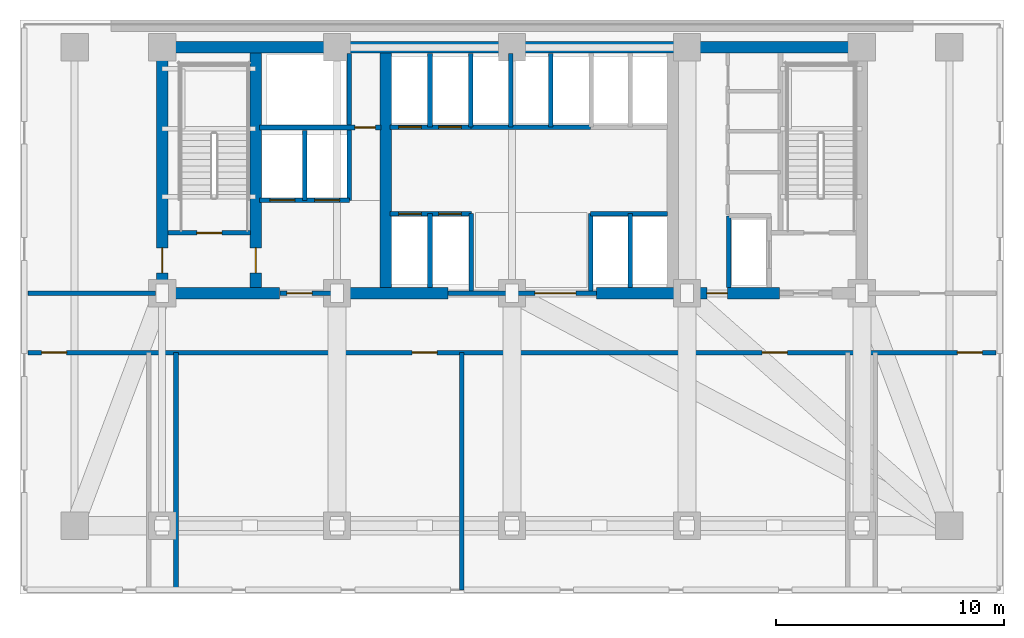
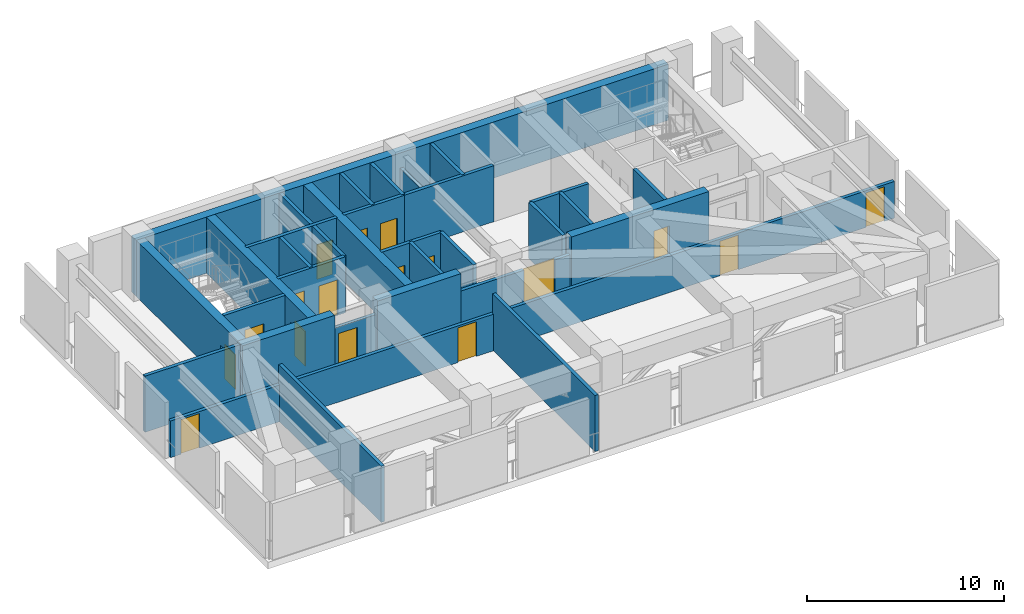
# One storey, part 2 of 7: 31 walls, 17 doors, 17 openings.
"""IFC4 building model written with IfcOpenShell, lengths in metres."""

from ifc_helpers import new_model, si_unit, direction, frame, frame_2d, origin, place, context, subcontext, project, spatial, rectangle, extrude, material, layer, layer_set, type_object, element, fill, save


model = new_model("IFC4")

# Units and contexts
model_context = context("Model", 3, precision=1e-05, world=origin(), true_north=direction((0.0, 1.0)))
body_context = subcontext(model_context, "Body", "Model", "MODEL_VIEW")
ifc_project = project(units=[si_unit("LENGTHUNIT", "METRE"), si_unit("AREAUNIT", "SQUARE_METRE"), si_unit("VOLUMEUNIT", "CUBIC_METRE"), si_unit("PLANEANGLEUNIT", "RADIAN"), si_unit("MASSUNIT", "GRAM", prefix="KILO")], contexts=[model_context])

# Site, building, storey
site_placement = place(None, origin())
site = spatial("IfcSite", under=ifc_project, at=site_placement, CompositionType="ELEMENT")
building_placement = place(site_placement, origin())
building = spatial("IfcBuilding", under=site, at=building_placement, Name="Yelkora Congress Tower", CompositionType="ELEMENT")
storey_placement = place(building_placement, frame((0.0, 0.0, 85.800048828125)))
storey = spatial("IfcBuildingStorey", under=building, at=storey_placement, Name="L22", CompositionType="ELEMENT", Elevation=85.800048828125)

# Walls
ifc_material_1 = material(Name="Concrete C60/75", Category="concrete")
ifc_layer_1 = layer(ifc_material_1, 0.5)
ifc_layer_set_1 = layer_set([ifc_layer_1], Name="Concrete C60/75")
wall_type_1 = type_object("IfcWallType", Name="WALL-CORE-INT-500", PredefinedType="SHEAR", material=ifc_layer_set_1)
wall_1_placement = place(storey_placement, frame((22.7900390625, 46.199951171875, 0.0), z_axis=(0.0, 0.0, 1.0), x_axis=(1.0, 0.0, 0.0)))
element("IfcWall", 1, at=wall_1_placement, inside=storey, type_object=wall_type_1, Name="L22 Rear Core North Shear Wall", PredefinedType="SHEAR", context=body_context, shape_type="SweptSolid", body=[
    extrude(rectangle(XDim=31.219970703125, YDim=0.5, at=frame_2d((15.60986328125, 0.0))), origin(), (0.0, 0.0, 1.0), 3.47998046875),
])
wall_2_placement = place(storey_placement, frame((22.7900390625, 35.39990234375, 0.0), z_axis=(0.0, 0.0, 1.0), x_axis=(1.0, 0.0, 0.0)))
element("IfcWall", 2, at=wall_2_placement, inside=storey, type_object=wall_type_1, Name="L22 Rear Core South-West Shear Wall", PredefinedType="SHEAR", context=body_context, shape_type="SweptSolid", body=[
    extrude(rectangle(XDim=5.409912109375, YDim=0.5, at=frame_2d((2.705078125, 0.0))), origin(), (0.0, 0.0, 1.0), 3.47998046875),
])
wall_3_placement = place(storey_placement, frame((30.719970703125, 35.39990234375, 0.0), z_axis=(0.0, 0.0, 1.0), x_axis=(1.0, 0.0, 0.0)))
element("IfcWall", 3, at=wall_3_placement, inside=storey, type_object=wall_type_1, Name="L22 Rear Core South-Center Shear Pier", PredefinedType="SHEAR", context=body_context, shape_type="SweptSolid", body=[
    extrude(rectangle(XDim=4.880126953125, YDim=0.5, at=frame_2d((2.43994140625, 0.0))), origin(), (0.0, 0.0, 1.0), 3.47998046875),
])

# Wall, opening, door
wall_4_placement = place(storey_placement, frame((42.10009765625, 35.39990234375, 0.0), z_axis=(0.0, 0.0, 1.0), x_axis=(1.0, 0.0, 0.0)))
wall_4 = element("IfcWall", 4, at=wall_4_placement, inside=storey, type_object=wall_type_1, Name="L22 Rear Core South-East Shear Wall A", PredefinedType="SHEAR", context=body_context, shape_type="SweptSolid", body=[
    extrude(rectangle(XDim=8.0498046875, YDim=0.5, at=frame_2d((4.02490234375, 0.0))), origin(), (0.0, 0.0, 1.0), 3.47998046875),
])
opening_1_placement = place(wall_4_placement, frame((4.85009765625, 0.0, 0.0)))
opening_1 = element("IfcOpeningElement", 5, at=opening_1_placement, cuts=wall_4, Name="Opening DR-090F6", PredefinedType="OPENING", context=body_context, shape_type="SweptSolid", body=[
    extrude(rectangle(XDim=0.89990234375, YDim=2.14990234375, at=frame_2d((0.449951171875, 1.074951171875))), frame((0.0, 0.260009765625, 0.0), z_axis=(0.0, -1.0, 0.0), x_axis=(1.0, 0.0, 0.0)), (0.0, 0.0, 1.0), 0.52001953125),
])
ifc_material_2 = material(Name="Painted steel riser fire door leaf", Category="steel")
door_type_1 = type_object("IfcDoorType", Name="DOOR-FD60-900", OperationType="NOTDEFINED", PredefinedType="DOOR", material=ifc_material_2)
door_1_placement = place(opening_1_placement, origin())
door_1 = element("IfcDoor", 6, at=door_1_placement, inside=storey, type_object=door_type_1, Name="L22 Core Washroom Lobby Door", OperationType="SINGLE_SWING_RIGHT", OverallHeight=2.14990234375, OverallWidth=0.89990234375, PredefinedType="DOOR", context=body_context, shape_type="SweptSolid", body=[
    extrude(rectangle(XDim=0.89990234375, YDim=2.14990234375, at=frame_2d((0.449951171875, 1.074951171875))), frame((0.0, 0.02490234375, 0.0), z_axis=(0.0, -1.0, 0.0), x_axis=(1.0, 0.0, 0.0)), (0.0, 0.0, 1.0), 0.050048828125),
])
fill(opening_1, door_1)

wall_5_placement = place(storey_placement, frame((23.0400390625, 35.64990234375, 0.0), z_axis=(0.0, 0.0, 1.0), x_axis=(0.0, 1.0, 0.0)))
wall_5 = element("IfcWall", 7, at=wall_5_placement, inside=storey, type_object=wall_type_1, Name="L22 Rear Core Cross Shear Wall W", PredefinedType="SHEAR", context=body_context, shape_type="SweptSolid", body=[
    extrude(rectangle(XDim=10.300048828125, YDim=0.5, at=frame_2d((5.14990234375, 0.0))), origin(), (0.0, 0.0, 1.0), 3.47998046875),
])
opening_2_placement = place(wall_5_placement, frame((0.64990234375, 0.0, 0.0)))
opening_2 = element("IfcOpeningElement", 8, at=opening_2_placement, cuts=wall_5, Name="Opening DR-110F9", PredefinedType="OPENING", context=body_context, shape_type="SweptSolid", body=[
    extrude(rectangle(XDim=1.10009765625, YDim=2.14990234375, at=frame_2d((0.550048828125, 1.074951171875))), frame((0.0, 0.260009765625, 0.0), z_axis=(0.0, -1.0, 0.0), x_axis=(1.0, 0.0, 0.0)), (0.0, 0.0, 1.0), 0.52001953125),
])
ifc_material_3 = material(Name="Galvanised steel fire door leaf", Category="steel")
door_type_2 = type_object("IfcDoorType", Name="DOOR-FD90-1100", OperationType="NOTDEFINED", PredefinedType="DOOR", material=ifc_material_3)
door_2_placement = place(opening_2_placement, origin())
door_2 = element("IfcDoor", 9, at=door_2_placement, inside=storey, type_object=door_type_2, Name="L22 Area of Refuge Direct Stair-Lobby Door", OperationType="SINGLE_SWING_LEFT", OverallHeight=2.14990234375, OverallWidth=1.10009765625, PredefinedType="DOOR", context=body_context, shape_type="SweptSolid", body=[
    extrude(rectangle(XDim=1.10009765625, YDim=2.14990234375, at=frame_2d((0.550048828125, 1.074951171875))), frame((0.0, 0.02490234375, 0.0), z_axis=(0.0, -1.0, 0.0), x_axis=(1.0, 0.0, 0.0)), (0.0, 0.0, 1.0), 0.050048828125),
])
fill(opening_2, door_2)

wall_6_placement = place(storey_placement, frame((27.14990234375, 35.64990234375, 0.0), z_axis=(0.0, 0.0, 1.0), x_axis=(0.0, 1.0, 0.0)))
wall_6 = element("IfcWall", 10, at=wall_6_placement, inside=storey, type_object=wall_type_1, Name="L22 Rear Core Cross Shear Wall C1", PredefinedType="SHEAR", context=body_context, shape_type="SweptSolid", body=[
    extrude(rectangle(XDim=10.300048828125, YDim=0.5, at=frame_2d((5.14990234375, 0.0))), origin(), (0.0, 0.0, 1.0), 3.47998046875),
])
opening_3_placement = place(wall_6_placement, frame((0.64990234375, 0.0, 0.0)))
opening_3 = element("IfcOpeningElement", 11, at=opening_3_placement, cuts=wall_6, Name="Opening DR-110F9", PredefinedType="OPENING", context=body_context, shape_type="SweptSolid", body=[
    extrude(rectangle(XDim=1.10009765625, YDim=2.14990234375, at=frame_2d((0.550048828125, 1.074951171875))), frame((0.0, 0.260009765625, 0.0), z_axis=(0.0, -1.0, 0.0), x_axis=(1.0, 0.0, 0.0)), (0.0, 0.0, 1.0), 0.52001953125),
])
door_3_placement = place(opening_3_placement, origin())
door_3 = element("IfcDoor", 12, at=door_3_placement, inside=storey, type_object=door_type_2, Name="L22 Firefighting Stair Transfer Door", OperationType="SINGLE_SWING_LEFT", OverallHeight=2.14990234375, OverallWidth=1.10009765625, PredefinedType="DOOR", context=body_context, shape_type="SweptSolid", body=[
    extrude(rectangle(XDim=1.10009765625, YDim=2.14990234375, at=frame_2d((0.550048828125, 1.074951171875))), frame((0.0, 0.02490234375, 0.0), z_axis=(0.0, -1.0, 0.0), x_axis=(1.0, 0.0, 0.0)), (0.0, 0.0, 1.0), 0.050048828125),
])
fill(opening_3, door_3)

# Wall
wall_7_placement = place(storey_placement, frame((32.85009765625, 35.64990234375, 0.0), z_axis=(0.0, 0.0, 1.0), x_axis=(0.0, 1.0, 0.0)))
element("IfcWall", 13, at=wall_7_placement, inside=storey, type_object=wall_type_1, Name="L22 Rear Core Cross Shear Wall C2", PredefinedType="SHEAR", context=body_context, shape_type="SweptSolid", body=[
    extrude(rectangle(XDim=10.300048828125, YDim=0.5, at=frame_2d((5.14990234375, 0.0))), origin(), (0.0, 0.0, 1.0), 3.47998046875),
])

# Wall, opening, door
ifc_material_4 = material(Name="Autoclaved aerated concrete blockwork", Category="masonry")
ifc_layer_2 = layer(ifc_material_4, 0.199951171875)
ifc_layer_set_2 = layer_set([ifc_layer_2], Name="Autoclaved aerated concrete blockwork")
wall_type_2 = type_object("IfcWallType", Name="WALL-INT-200-R120", PredefinedType="PARTITIONING", material=ifc_layer_set_2)
wall_8_placement = place(storey_placement, frame((23.300048828125, 38.050048828125, 0.0), z_axis=(0.0, 0.0, 1.0), x_axis=(1.0, 0.0, 0.0)))
wall_8 = element("IfcWall", 14, at=wall_8_placement, inside=storey, type_object=wall_type_2, Name="L22 Stair ST-01 Enclosure Wall", PredefinedType="PARTITIONING", context=body_context, shape_type="SweptSolid", body=[
    extrude(rectangle(XDim=3.619873046875, YDim=0.199951171875, at=frame_2d((1.81005859375, 0.0))), origin(), (0.0, 0.0, 1.0), 3.47998046875),
])
opening_4_placement = place(wall_8_placement, frame((1.260009765625, 0.0, 0.0)))
opening_4 = element("IfcOpeningElement", 15, at=opening_4_placement, cuts=wall_8, Name="Opening DR-110F9", PredefinedType="OPENING", context=body_context, shape_type="SweptSolid", body=[
    extrude(rectangle(XDim=1.10009765625, YDim=2.14990234375, at=frame_2d((0.550048828125, 1.074951171875))), frame((0.0, 0.10986328125, 0.0), z_axis=(0.0, -1.0, 0.0), x_axis=(1.0, 0.0, 0.0)), (0.0, 0.0, 1.0), 0.219970703125),
])
door_4_placement = place(opening_4_placement, origin())
door_4 = element("IfcDoor", 16, at=door_4_placement, inside=storey, type_object=door_type_2, Name="L22 Stair ST-01 Entry Door", OperationType="SINGLE_SWING_LEFT", OverallHeight=2.14990234375, OverallWidth=1.10009765625, PredefinedType="DOOR", context=body_context, shape_type="SweptSolid", body=[
    extrude(rectangle(XDim=1.10009765625, YDim=2.14990234375, at=frame_2d((0.550048828125, 1.074951171875))), frame((0.0, 0.02490234375, 0.0), z_axis=(0.0, -1.0, 0.0), x_axis=(1.0, 0.0, 0.0)), (0.0, 0.0, 1.0), 0.050048828125),
])
fill(opening_4, door_4)

wall_9_placement = place(storey_placement, frame((28.219970703125, 35.39990234375, 0.0), z_axis=(0.0, 0.0, 1.0), x_axis=(1.0, 0.0, 0.0)))
wall_9 = element("IfcWall", 17, at=wall_9_placement, inside=storey, type_object=wall_type_2, Name="L22 Firefighting Lobby South Wall", PredefinedType="PARTITIONING", context=body_context, shape_type="SweptSolid", body=[
    extrude(rectangle(XDim=2.5, YDim=0.199951171875, at=frame_2d((1.25, 0.0))), origin(), (0.0, 0.0, 1.0), 2.56494140625),
])
opening_5_placement = place(wall_9_placement, frame((0.300048828125, 0.0, 0.0)))
opening_5 = element("IfcOpeningElement", 18, at=opening_5_placement, cuts=wall_9, Name="Opening DR-110F9", PredefinedType="OPENING", context=body_context, shape_type="SweptSolid", body=[
    extrude(rectangle(XDim=1.10009765625, YDim=2.14990234375, at=frame_2d((0.550048828125, 1.074951171875))), frame((0.0, 0.10986328125, 0.0), z_axis=(0.0, -1.0, 0.0), x_axis=(1.0, 0.0, 0.0)), (0.0, 0.0, 1.0), 0.219970703125),
])
door_5_placement = place(opening_5_placement, origin())
door_5 = element("IfcDoor", 19, at=door_5_placement, inside=storey, type_object=door_type_2, Name="L22 Firefighting Lobby Corridor Door", OperationType="SINGLE_SWING_RIGHT", OverallHeight=2.14990234375, OverallWidth=1.10009765625, PredefinedType="DOOR", context=body_context, shape_type="SweptSolid", body=[
    extrude(rectangle(XDim=1.10009765625, YDim=2.14990234375, at=frame_2d((0.550048828125, 1.074951171875))), frame((0.0, 0.02490234375, 0.0), z_axis=(0.0, -1.0, 0.0), x_axis=(1.0, 0.0, 0.0)), (0.0, 0.0, 1.0), 0.050048828125),
])
fill(opening_5, door_5)

# Wall, openings, doors
wall_10_placement = place(storey_placement, frame((27.320068359375, 39.47998046875, 0.0), z_axis=(0.0, 0.0, 1.0), x_axis=(1.0, 0.0, 0.0)))
wall_10 = element("IfcWall", 20, at=wall_10_placement, inside=storey, type_object=wall_type_2, Name="L22 Firefighting Lift Front Wall", PredefinedType="PARTITIONING", context=body_context, shape_type="SweptSolid", body=[
    extrude(rectangle(XDim=3.93994140625, YDim=0.199951171875, at=frame_2d((1.969970703125, 0.0))), origin(), (0.0, 0.0, 1.0), 3.47998046875),
])
opening_6_placement = place(wall_10_placement, frame((0.449951171875, 0.0, 0.0)))
opening_6 = element("IfcOpeningElement", 21, at=opening_6_placement, cuts=wall_10, Name="Opening LD-FF11", PredefinedType="OPENING", context=body_context, shape_type="SweptSolid", body=[
    extrude(rectangle(XDim=1.10009765625, YDim=2.199951171875, at=frame_2d((0.550048828125, 1.10009765625))), frame((0.0, 0.10986328125, 0.0), z_axis=(0.0, -1.0, 0.0), x_axis=(1.0, 0.0, 0.0)), (0.0, 0.0, 1.0), 0.219970703125),
])
opening_7_placement = place(wall_10_placement, frame((2.409912109375, 0.0, 0.0)))
opening_7 = element("IfcOpeningElement", 22, at=opening_7_placement, cuts=wall_10, Name="Opening LD-FF11", PredefinedType="OPENING", context=body_context, shape_type="SweptSolid", body=[
    extrude(rectangle(XDim=1.10009765625, YDim=2.199951171875, at=frame_2d((0.550048828125, 1.10009765625))), frame((0.0, 0.10986328125, 0.0), z_axis=(0.0, -1.0, 0.0), x_axis=(1.0, 0.0, 0.0)), (0.0, 0.0, 1.0), 0.219970703125),
])
ifc_material_5 = material(Name="Brushed stainless steel 316L landing door", Category="steel")
door_type_3 = type_object("IfcDoorType", Name="DOOR-LIFT-FF-1100", OperationType="DOUBLE_DOOR_SLIDING", PredefinedType="DOOR", material=ifc_material_5)
door_6_placement = place(opening_6_placement, origin())
door_6 = element("IfcDoor", 23, at=door_6_placement, inside=storey, type_object=door_type_3, Name="Lift Landing Door LF-FF1 L22", OperationType="DOUBLE_DOOR_SLIDING", OverallHeight=2.199951171875, OverallWidth=1.10009765625, PredefinedType="DOOR", context=body_context, shape_type="SweptSolid", body=[
    extrude(rectangle(XDim=1.10009765625, YDim=2.199951171875, at=frame_2d((0.550048828125, 1.10009765625))), frame((0.0, 0.02490234375, 0.0), z_axis=(0.0, -1.0, 0.0), x_axis=(1.0, 0.0, 0.0)), (0.0, 0.0, 1.0), 0.050048828125),
])
fill(opening_6, door_6)
door_7_placement = place(opening_7_placement, origin())
door_7 = element("IfcDoor", 24, at=door_7_placement, inside=storey, type_object=door_type_3, Name="Lift Landing Door LF-FF2 L22", OperationType="DOUBLE_DOOR_SLIDING", OverallHeight=2.199951171875, OverallWidth=1.10009765625, PredefinedType="DOOR", context=body_context, shape_type="SweptSolid", body=[
    extrude(rectangle(XDim=1.10009765625, YDim=2.199951171875, at=frame_2d((0.550048828125, 1.10009765625))), frame((0.0, 0.02490234375, 0.0), z_axis=(0.0, -1.0, 0.0), x_axis=(1.0, 0.0, 0.0)), (0.0, 0.0, 1.0), 0.050048828125),
])
fill(opening_7, door_7)

# Walls
wall_11_placement = place(storey_placement, frame((29.300048828125, 39.47998046875, 0.0), z_axis=(0.0, 0.0, 1.0), x_axis=(0.0, 1.0, 0.0)))
element("IfcWall", 25, at=wall_11_placement, inside=storey, type_object=wall_type_2, Name="L22 Partition Wall 4", PredefinedType="PARTITIONING", context=body_context, shape_type="SweptSolid", body=[
    extrude(rectangle(XDim=3.070068359375, YDim=0.199951171875, at=frame_2d((1.53515625, 0.0))), origin(), (0.0, 0.0, 1.0), 3.47998046875),
])
wall_12_placement = place(storey_placement, frame((31.260009765625, 39.47998046875, 0.0), z_axis=(0.0, 0.0, 1.0), x_axis=(0.0, 1.0, 0.0)))
element("IfcWall", 26, at=wall_12_placement, inside=storey, type_object=wall_type_2, Name="L22 Partition Wall 5", PredefinedType="PARTITIONING", context=body_context, shape_type="SweptSolid", body=[
    extrude(rectangle(XDim=6.43994140625, YDim=0.199951171875, at=frame_2d((3.219970703125, 0.0))), origin(), (0.0, 0.0, 1.0), 3.47998046875),
])

# Wall, opening, door
wall_13_placement = place(storey_placement, frame((27.320068359375, 42.679931640625, 0.0), z_axis=(0.0, 0.0, 1.0), x_axis=(1.0, 0.0, 0.0)))
wall_13 = element("IfcWall", 27, at=wall_13_placement, inside=storey, type_object=wall_type_2, Name="L22 Smoke Riser South Wall", PredefinedType="PARTITIONING", context=body_context, shape_type="SweptSolid", body=[
    extrude(rectangle(XDim=5.329833984375, YDim=0.199951171875, at=frame_2d((2.6650390625, 0.0))), origin(), (0.0, 0.0, 1.0), 3.47998046875),
])
opening_8_placement = place(wall_13_placement, frame((4.179931640625, 0.0, 0.0)))
opening_8 = element("IfcOpeningElement", 28, at=opening_8_placement, cuts=wall_13, Name="Opening DR-090F6", PredefinedType="OPENING", context=body_context, shape_type="SweptSolid", body=[
    extrude(rectangle(XDim=0.89990234375, YDim=2.14990234375, at=frame_2d((0.449951171875, 1.074951171875))), frame((0.0, 0.10986328125, 0.0), z_axis=(0.0, -1.0, 0.0), x_axis=(1.0, 0.0, 0.0)), (0.0, 0.0, 1.0), 0.219970703125),
])
door_8_placement = place(opening_8_placement, origin())
door_8 = element("IfcDoor", 29, at=door_8_placement, inside=storey, type_object=door_type_1, Name="L22 Riser Access Door", OperationType="SINGLE_SWING_LEFT", OverallHeight=2.14990234375, OverallWidth=0.89990234375, PredefinedType="DOOR", context=body_context, shape_type="SweptSolid", body=[
    extrude(rectangle(XDim=0.89990234375, YDim=2.14990234375, at=frame_2d((0.449951171875, 1.074951171875))), frame((0.0, 0.02490234375, 0.0), z_axis=(0.0, -1.0, 0.0), x_axis=(1.0, 0.0, 0.0)), (0.0, 0.0, 1.0), 0.050048828125),
])
fill(opening_8, door_8)

wall_14_placement = place(storey_placement, frame((35.60009765625, 35.39990234375, 0.0), z_axis=(0.0, 0.0, 1.0), x_axis=(1.0, 0.0, 0.0)))
wall_14 = element("IfcWall", 30, at=wall_14_placement, inside=storey, type_object=wall_type_2, Name="L22 Main Lift Lobby South Portal Wall", PredefinedType="PARTITIONING", context=body_context, shape_type="SweptSolid", body=[
    extrude(rectangle(XDim=6.5, YDim=0.199951171875, at=frame_2d((3.25, 0.0))), origin(), (0.0, 0.0, 1.0), 2.27490234375),
])
opening_9_placement = place(wall_14_placement, frame((3.800048828125, 0.0, 0.0)))
opening_9 = element("IfcOpeningElement", 31, at=opening_9_placement, cuts=wall_14, Name="Opening DR-180D", PredefinedType="OPENING", context=body_context, shape_type="SweptSolid", body=[
    extrude(rectangle(XDim=1.800048828125, YDim=2.300048828125, at=frame_2d((0.89990234375, 1.14990234375))), frame((0.0, 0.10986328125, 0.0), z_axis=(0.0, -1.0, 0.0), x_axis=(1.0, 0.0, 0.0)), (0.0, 0.0, 1.0), 0.219970703125),
])
ifc_material_6 = material(Name="Acoustic double congress hall doors", Category="wood")
door_type_4 = type_object("IfcDoorType", Name="DOOR-DBL-1800", OperationType="DOUBLE_DOOR_SINGLE_SWING", PredefinedType="DOOR", material=ifc_material_6)
door_9_placement = place(opening_9_placement, origin())
door_9 = element("IfcDoor", 32, at=door_9_placement, inside=storey, type_object=door_type_4, Name="L22 Main Lift Lobby Portal Door", OperationType="DOUBLE_DOOR_SINGLE_SWING", OverallHeight=2.300048828125, OverallWidth=1.800048828125, PredefinedType="DOOR", context=body_context, shape_type="SweptSolid", body=[
    extrude(rectangle(XDim=1.800048828125, YDim=2.300048828125, at=frame_2d((0.89990234375, 1.14990234375))), frame((0.0, 0.02490234375, 0.0), z_axis=(0.0, -1.0, 0.0), x_axis=(1.0, 0.0, 0.0)), (0.0, 0.0, 1.0), 0.050048828125),
])
fill(opening_9, door_9)

# Walls
wall_15_placement = place(storey_placement, frame((36.60009765625, 42.699951171875, 0.0), z_axis=(0.0, 0.0, 1.0), x_axis=(1.0, 0.0, 0.0)))
element("IfcWall", 33, at=wall_15_placement, inside=storey, type_object=wall_type_2, Name="L22 Partition Wall 8", PredefinedType="PARTITIONING", context=body_context, shape_type="SweptSolid", body=[
    extrude(rectangle(XDim=5.25, YDim=0.199951171875, at=frame_2d((2.625, 0.0))), origin(), (0.0, 0.0, 1.0), 3.47998046875),
])
wall_16_placement = place(storey_placement, frame((38.35009765625, 42.699951171875, 0.0), z_axis=(0.0, 0.0, 1.0), x_axis=(0.0, 1.0, 0.0)))
element("IfcWall", 34, at=wall_16_placement, inside=storey, type_object=wall_type_2, Name="L22 Partition Wall 9", PredefinedType="PARTITIONING", context=body_context, shape_type="SweptSolid", body=[
    extrude(rectangle(XDim=3.219970703125, YDim=0.199951171875, at=frame_2d((1.60986328125, 0.0))), origin(), (0.0, 0.0, 1.0), 2.56494140625),
])
wall_17_placement = place(storey_placement, frame((40.10009765625, 42.699951171875, 0.0), z_axis=(0.0, 0.0, 1.0), x_axis=(0.0, 1.0, 0.0)))
element("IfcWall", 35, at=wall_17_placement, inside=storey, type_object=wall_type_2, Name="L22 Partition Wall 10", PredefinedType="PARTITIONING", context=body_context, shape_type="SweptSolid", body=[
    extrude(rectangle(XDim=3.219970703125, YDim=0.199951171875, at=frame_2d((1.60986328125, 0.0))), origin(), (0.0, 0.0, 1.0), 3.47998046875),
])

# Wall, openings, doors
wall_18_placement = place(storey_placement, frame((33.050048828125, 38.89990234375, 0.0), z_axis=(0.0, 0.0, 1.0), x_axis=(1.0, 0.0, 0.0)))
wall_18 = element("IfcWall", 36, at=wall_18_placement, inside=storey, type_object=wall_type_2, Name="L22 Partition Wall 11", PredefinedType="PARTITIONING", context=body_context, shape_type="SweptSolid", body=[
    extrude(rectangle(XDim=3.570068359375, YDim=0.199951171875, at=frame_2d((1.78515625, 0.0))), origin(), (0.0, 0.0, 1.0), 3.47998046875),
])
opening_10_placement = place(wall_18_placement, frame((0.375, 0.0, 0.0)))
opening_10 = element("IfcOpeningElement", 37, at=opening_10_placement, cuts=wall_18, Name="Opening LD-PS10", PredefinedType="OPENING", context=body_context, shape_type="SweptSolid", body=[
    extrude(rectangle(XDim=1.0, YDim=2.199951171875, at=frame_2d((0.5, 1.10009765625))), frame((0.0, 0.10986328125, 0.0), z_axis=(0.0, -1.0, 0.0), x_axis=(1.0, 0.0, 0.0)), (0.0, 0.0, 1.0), 0.219970703125),
])
opening_11_placement = place(wall_18_placement, frame((2.125, 0.0, 0.0)))
opening_11 = element("IfcOpeningElement", 38, at=opening_11_placement, cuts=wall_18, Name="Opening LD-PS10", PredefinedType="OPENING", context=body_context, shape_type="SweptSolid", body=[
    extrude(rectangle(XDim=1.0, YDim=2.199951171875, at=frame_2d((0.5, 1.10009765625))), frame((0.0, 0.10986328125, 0.0), z_axis=(0.0, -1.0, 0.0), x_axis=(1.0, 0.0, 0.0)), (0.0, 0.0, 1.0), 0.219970703125),
])
ifc_material_7 = material(Name="Champagne stainless steel landing door", Category="steel")
door_type_5 = type_object("IfcDoorType", Name="DOOR-LIFT-PAS-1000", OperationType="DOUBLE_DOOR_SLIDING", PredefinedType="DOOR", material=ifc_material_7)
door_10_placement = place(opening_10_placement, origin())
door_10 = element("IfcDoor", 39, at=door_10_placement, inside=storey, type_object=door_type_5, Name="Lift Landing Door LF-P1 L22", OperationType="DOUBLE_DOOR_SLIDING", OverallHeight=2.199951171875, OverallWidth=1.0, PredefinedType="DOOR", context=body_context, shape_type="SweptSolid", body=[
    extrude(rectangle(XDim=1.0, YDim=2.199951171875, at=frame_2d((0.5, 1.10009765625))), frame((0.0, 0.02490234375, 0.0), z_axis=(0.0, -1.0, 0.0), x_axis=(1.0, 0.0, 0.0)), (0.0, 0.0, 1.0), 0.050048828125),
])
fill(opening_10, door_10)
door_11_placement = place(opening_11_placement, origin())
door_11 = element("IfcDoor", 40, at=door_11_placement, inside=storey, type_object=door_type_5, Name="Lift Landing Door LF-P2 L22", OperationType="DOUBLE_DOOR_SLIDING", OverallHeight=2.199951171875, OverallWidth=1.0, PredefinedType="DOOR", context=body_context, shape_type="SweptSolid", body=[
    extrude(rectangle(XDim=1.0, YDim=2.199951171875, at=frame_2d((0.5, 1.10009765625))), frame((0.0, 0.02490234375, 0.0), z_axis=(0.0, -1.0, 0.0), x_axis=(1.0, 0.0, 0.0)), (0.0, 0.0, 1.0), 0.050048828125),
])
fill(opening_11, door_11)

wall_19_placement = place(storey_placement, frame((33.050048828125, 42.699951171875, 0.0), z_axis=(0.0, 0.0, 1.0), x_axis=(1.0, 0.0, 0.0)))
wall_19 = element("IfcWall", 41, at=wall_19_placement, inside=storey, type_object=wall_type_2, Name="L22 Partition Wall 12", PredefinedType="PARTITIONING", context=body_context, shape_type="SweptSolid", body=[
    extrude(rectangle(XDim=3.570068359375, YDim=0.199951171875, at=frame_2d((1.78515625, 0.0))), origin(), (0.0, 0.0, 1.0), 3.47998046875),
])
opening_12_placement = place(wall_19_placement, frame((0.375, 0.0, 0.0)))
opening_12 = element("IfcOpeningElement", 42, at=opening_12_placement, cuts=wall_19, Name="Opening LD-PS10", PredefinedType="OPENING", context=body_context, shape_type="SweptSolid", body=[
    extrude(rectangle(XDim=1.0, YDim=2.199951171875, at=frame_2d((0.5, 1.10009765625))), frame((0.0, 0.10986328125, 0.0), z_axis=(0.0, -1.0, 0.0), x_axis=(1.0, 0.0, 0.0)), (0.0, 0.0, 1.0), 0.219970703125),
])
opening_13_placement = place(wall_19_placement, frame((2.125, 0.0, 0.0)))
opening_13 = element("IfcOpeningElement", 43, at=opening_13_placement, cuts=wall_19, Name="Opening LD-PS10", PredefinedType="OPENING", context=body_context, shape_type="SweptSolid", body=[
    extrude(rectangle(XDim=1.0, YDim=2.199951171875, at=frame_2d((0.5, 1.10009765625))), frame((0.0, 0.10986328125, 0.0), z_axis=(0.0, -1.0, 0.0), x_axis=(1.0, 0.0, 0.0)), (0.0, 0.0, 1.0), 0.219970703125),
])
door_12_placement = place(opening_12_placement, origin())
door_12 = element("IfcDoor", 44, at=door_12_placement, inside=storey, type_object=door_type_5, Name="Lift Landing Door LF-P3 L22", OperationType="DOUBLE_DOOR_SLIDING", OverallHeight=2.199951171875, OverallWidth=1.0, PredefinedType="DOOR", context=body_context, shape_type="SweptSolid", body=[
    extrude(rectangle(XDim=1.0, YDim=2.199951171875, at=frame_2d((0.5, 1.10009765625))), frame((0.0, 0.02490234375, 0.0), z_axis=(0.0, -1.0, 0.0), x_axis=(1.0, 0.0, 0.0)), (0.0, 0.0, 1.0), 0.050048828125),
])
fill(opening_12, door_12)
door_13_placement = place(opening_13_placement, origin())
door_13 = element("IfcDoor", 45, at=door_13_placement, inside=storey, type_object=door_type_5, Name="Lift Landing Door LF-P4 L22", OperationType="DOUBLE_DOOR_SLIDING", OverallHeight=2.199951171875, OverallWidth=1.0, PredefinedType="DOOR", context=body_context, shape_type="SweptSolid", body=[
    extrude(rectangle(XDim=1.0, YDim=2.199951171875, at=frame_2d((0.5, 1.10009765625))), frame((0.0, 0.02490234375, 0.0), z_axis=(0.0, -1.0, 0.0), x_axis=(1.0, 0.0, 0.0)), (0.0, 0.0, 1.0), 0.050048828125),
])
fill(opening_13, door_13)

# Walls
wall_20_placement = place(storey_placement, frame((34.800048828125, 35.64990234375, 0.0), z_axis=(0.0, 0.0, 1.0), x_axis=(0.0, 1.0, 0.0)))
element("IfcWall", 46, at=wall_20_placement, inside=storey, type_object=wall_type_2, Name="L22 Partition Wall 13", PredefinedType="PARTITIONING", context=body_context, shape_type="SweptSolid", body=[
    extrude(rectangle(XDim=3.25, YDim=0.199951171875, at=frame_2d((1.625, 0.0))), origin(), (0.0, 0.0, 1.0), 3.47998046875),
])
wall_21_placement = place(storey_placement, frame((34.800048828125, 42.699951171875, 0.0), z_axis=(0.0, 0.0, 1.0), x_axis=(0.0, 1.0, 0.0)))
element("IfcWall", 47, at=wall_21_placement, inside=storey, type_object=wall_type_2, Name="L22 Partition Wall 14", PredefinedType="PARTITIONING", context=body_context, shape_type="SweptSolid", body=[
    extrude(rectangle(XDim=3.219970703125, YDim=0.199951171875, at=frame_2d((1.60986328125, 0.0))), origin(), (0.0, 0.0, 1.0), 3.47998046875),
])
wall_22_placement = place(storey_placement, frame((36.6201171875, 35.5, 0.0), z_axis=(0.0, 0.0, 1.0), x_axis=(0.0, 1.0, 0.0)))
element("IfcWall", 48, at=wall_22_placement, inside=storey, type_object=wall_type_2, Name="L22 Partition Wall 15", PredefinedType="PARTITIONING", context=body_context, shape_type="SweptSolid", body=[
    extrude(rectangle(XDim=3.39990234375, YDim=0.199951171875, at=frame_2d((1.699951171875, 0.0))), origin(), (0.0, 0.0, 1.0), 3.47998046875),
])
wall_23_placement = place(storey_placement, frame((36.580078125, 42.699951171875, 0.0), z_axis=(0.0, 0.0, 1.0), x_axis=(0.0, 1.0, 0.0)))
element("IfcWall", 49, at=wall_23_placement, inside=storey, type_object=wall_type_2, Name="L22 Partition Wall 16", PredefinedType="PARTITIONING", context=body_context, shape_type="SweptSolid", body=[
    extrude(rectangle(XDim=3.219970703125, YDim=0.199951171875, at=frame_2d((1.60986328125, 0.0))), origin(), (0.0, 0.0, 1.0), 3.47998046875),
])
wall_24_placement = place(storey_placement, frame((41.85009765625, 38.89990234375, 0.0), z_axis=(0.0, 0.0, 1.0), x_axis=(1.0, 0.0, 0.0)))
element("IfcWall", 50, at=wall_24_placement, inside=storey, type_object=wall_type_2, Name="L22 Partition Wall 17", PredefinedType="PARTITIONING", context=body_context, shape_type="SweptSolid", body=[
    extrude(rectangle(XDim=3.369873046875, YDim=0.199951171875, at=frame_2d((1.68505859375, 0.0))), origin(), (0.0, 0.0, 1.0), 3.47998046875),
])
wall_25_placement = place(storey_placement, frame((43.60009765625, 35.64990234375, 0.0), z_axis=(0.0, 0.0, 1.0), x_axis=(0.0, 1.0, 0.0)))
element("IfcWall", 51, at=wall_25_placement, inside=storey, type_object=wall_type_2, Name="L22 Partition Wall 19", PredefinedType="PARTITIONING", context=body_context, shape_type="SweptSolid", body=[
    extrude(rectangle(XDim=3.25, YDim=0.199951171875, at=frame_2d((1.625, 0.0))), origin(), (0.0, 0.0, 1.0), 3.47998046875),
])
wall_26_placement = place(storey_placement, frame((41.85009765625, 35.5, 0.0), z_axis=(0.0, 0.0, 1.0), x_axis=(0.0, 1.0, 0.0)))
element("IfcWall", 52, at=wall_26_placement, inside=storey, type_object=wall_type_2, Name="L22 Partition Wall 21", PredefinedType="PARTITIONING", context=body_context, shape_type="SweptSolid", body=[
    extrude(rectangle(XDim=3.39990234375, YDim=0.199951171875, at=frame_2d((1.699951171875, 0.0))), origin(), (0.0, 0.0, 1.0), 3.47998046875),
])
wall_27_placement = place(storey_placement, frame((47.919921875, 35.64990234375, 0.0), z_axis=(0.0, 0.0, 1.0), x_axis=(0.0, 1.0, 0.0)))
element("IfcWall", 53, at=wall_27_placement, inside=storey, type_object=wall_type_2, Name="L22 Partition Wall 26", PredefinedType="PARTITIONING", context=body_context, shape_type="SweptSolid", body=[
    extrude(rectangle(XDim=3.150146484375, YDim=0.199951171875, at=frame_2d((1.5751953125, 0.0))), origin(), (0.0, 0.0, 1.0), 3.47998046875),
])
wall_28_placement = place(storey_placement, frame((17.14990234375, 35.39990234375, 0.0), z_axis=(0.0, 0.0, 1.0), x_axis=(1.0, 0.0, 0.0)))
element("IfcWall", 54, at=wall_28_placement, inside=storey, type_object=wall_type_2, Name="L22 Partition Wall 32", PredefinedType="PARTITIONING", context=body_context, shape_type="SweptSolid", body=[
    extrude(rectangle(XDim=5.60009765625, YDim=0.199951171875, at=frame_2d((2.800048828125, 0.0))), origin(), (0.0, 0.0, 1.0), 3.47998046875),
])
for number, where, z_axis, x_axis, name in (
    (55, (23.64990234375, 22.3798828125, 0.0), (0.0, 0.0, 1.0), (0.0, 1.0, 0.0), "L22 Partition Wall 35"),
    (56, (36.199951171875, 22.3798828125, 0.0), (0.0, 0.0, 1.0), (0.0, 1.0, 0.0), "L22 Partition Wall 36"),
):
    element("IfcWall", number, at=place(storey_placement, frame(where, z_axis=z_axis, x_axis=x_axis)), inside=storey, type_object=wall_type_2, Name=name, PredefinedType="PARTITIONING", context=body_context, shape_type="SweptSolid", body=[
        extrude(rectangle(XDim=10.420166015625, YDim=0.199951171875, at=frame_2d((5.2099609375, 0.0))), origin(), (0.0, 0.0, 1.0), 3.47998046875),
    ])

# Wall, openings, doors
wall_29_placement = place(storey_placement, frame((17.14990234375, 32.800048828125, 0.0), z_axis=(0.0, 0.0, 1.0), x_axis=(1.0, 0.0, 0.0)))
wall_29 = element("IfcWall", 57, at=wall_29_placement, inside=storey, type_object=wall_type_2, Name="L22 Partition Wall 39", PredefinedType="PARTITIONING", context=body_context, shape_type="SweptSolid", body=[
    extrude(rectangle(XDim=42.5, YDim=0.199951171875, at=frame_2d((21.25, 0.0))), origin(), (0.0, 0.0, 1.0), 2.27490234375),
])
opening_14_placement = place(wall_29_placement, frame((0.60009765625, 0.0, 0.0)))
opening_14 = element("IfcOpeningElement", 58, at=opening_14_placement, cuts=wall_29, Name="Opening DR-110F9", PredefinedType="OPENING", context=body_context, shape_type="SweptSolid", body=[
    extrude(rectangle(XDim=1.10009765625, YDim=2.14990234375, at=frame_2d((0.550048828125, 1.074951171875))), frame((0.0, 0.10986328125, 0.0), z_axis=(0.0, -1.0, 0.0), x_axis=(1.0, 0.0, 0.0)), (0.0, 0.0, 1.0), 0.219970703125),
])
opening_15_placement = place(wall_29_placement, frame((16.862060546875, 0.0, 0.0)))
opening_15 = element("IfcOpeningElement", 59, at=opening_15_placement, cuts=wall_29, Name="Opening DR-110F9", PredefinedType="OPENING", context=body_context, shape_type="SweptSolid", body=[
    extrude(rectangle(XDim=1.10009765625, YDim=2.14990234375, at=frame_2d((0.550048828125, 1.074951171875))), frame((0.0, 0.10986328125, 0.0), z_axis=(0.0, -1.0, 0.0), x_axis=(1.0, 0.0, 0.0)), (0.0, 0.0, 1.0), 0.219970703125),
])
opening_16_placement = place(wall_29_placement, frame((32.235107421875, 0.0, 0.0)))
opening_16 = element("IfcOpeningElement", 60, at=opening_16_placement, cuts=wall_29, Name="Opening DR-110F9", PredefinedType="OPENING", context=body_context, shape_type="SweptSolid", body=[
    extrude(rectangle(XDim=1.10009765625, YDim=2.14990234375, at=frame_2d((0.550048828125, 1.074951171875))), frame((0.0, 0.10986328125, 0.0), z_axis=(0.0, -1.0, 0.0), x_axis=(1.0, 0.0, 0.0)), (0.0, 0.0, 1.0), 0.219970703125),
])
opening_17_placement = place(wall_29_placement, frame((40.800048828125, 0.0, 0.0)))
opening_17 = element("IfcOpeningElement", 61, at=opening_17_placement, cuts=wall_29, Name="Opening DR-110F9", PredefinedType="OPENING", context=body_context, shape_type="SweptSolid", body=[
    extrude(rectangle(XDim=1.10009765625, YDim=2.14990234375, at=frame_2d((0.550048828125, 1.074951171875))), frame((0.0, 0.10986328125, 0.0), z_axis=(0.0, -1.0, 0.0), x_axis=(1.0, 0.0, 0.0)), (0.0, 0.0, 1.0), 0.219970703125),
])
door_14_placement = place(opening_14_placement, origin())
door_14 = element("IfcDoor", 62, at=door_14_placement, inside=storey, type_object=door_type_2, Name="L22 Interior Door 19", OperationType="SINGLE_SWING_LEFT", OverallHeight=2.14990234375, OverallWidth=1.10009765625, PredefinedType="DOOR", context=body_context, shape_type="SweptSolid", body=[
    extrude(rectangle(XDim=1.10009765625, YDim=2.14990234375, at=frame_2d((0.550048828125, 1.074951171875))), frame((0.0, 0.02490234375, 0.0), z_axis=(0.0, -1.0, 0.0), x_axis=(1.0, 0.0, 0.0)), (0.0, 0.0, 1.0), 0.050048828125),
])
fill(opening_14, door_14)
door_15_placement = place(opening_15_placement, origin())
door_15 = element("IfcDoor", 63, at=door_15_placement, inside=storey, type_object=door_type_2, Name="L22 Interior Door 20", OperationType="SINGLE_SWING_RIGHT", OverallHeight=2.14990234375, OverallWidth=1.10009765625, PredefinedType="DOOR", context=body_context, shape_type="SweptSolid", body=[
    extrude(rectangle(XDim=1.10009765625, YDim=2.14990234375, at=frame_2d((0.550048828125, 1.074951171875))), frame((0.0, 0.02490234375, 0.0), z_axis=(0.0, -1.0, 0.0), x_axis=(1.0, 0.0, 0.0)), (0.0, 0.0, 1.0), 0.050048828125),
])
fill(opening_15, door_15)
door_16_placement = place(opening_16_placement, origin())
door_16 = element("IfcDoor", 64, at=door_16_placement, inside=storey, type_object=door_type_2, Name="L22 Interior Door 21", OperationType="SINGLE_SWING_LEFT", OverallHeight=2.14990234375, OverallWidth=1.10009765625, PredefinedType="DOOR", context=body_context, shape_type="SweptSolid", body=[
    extrude(rectangle(XDim=1.10009765625, YDim=2.14990234375, at=frame_2d((0.550048828125, 1.074951171875))), frame((0.0, 0.02490234375, 0.0), z_axis=(0.0, -1.0, 0.0), x_axis=(1.0, 0.0, 0.0)), (0.0, 0.0, 1.0), 0.050048828125),
])
fill(opening_16, door_16)
door_17_placement = place(opening_17_placement, origin())
door_17 = element("IfcDoor", 65, at=door_17_placement, inside=storey, type_object=door_type_2, Name="L22 Interior Door 22", OperationType="SINGLE_SWING_RIGHT", OverallHeight=2.14990234375, OverallWidth=1.10009765625, PredefinedType="DOOR", context=body_context, shape_type="SweptSolid", body=[
    extrude(rectangle(XDim=1.10009765625, YDim=2.14990234375, at=frame_2d((0.550048828125, 1.074951171875))), frame((0.0, 0.02490234375, 0.0), z_axis=(0.0, -1.0, 0.0), x_axis=(1.0, 0.0, 0.0)), (0.0, 0.0, 1.0), 0.050048828125),
])
fill(opening_17, door_17)

save(model, "model.ifc")
